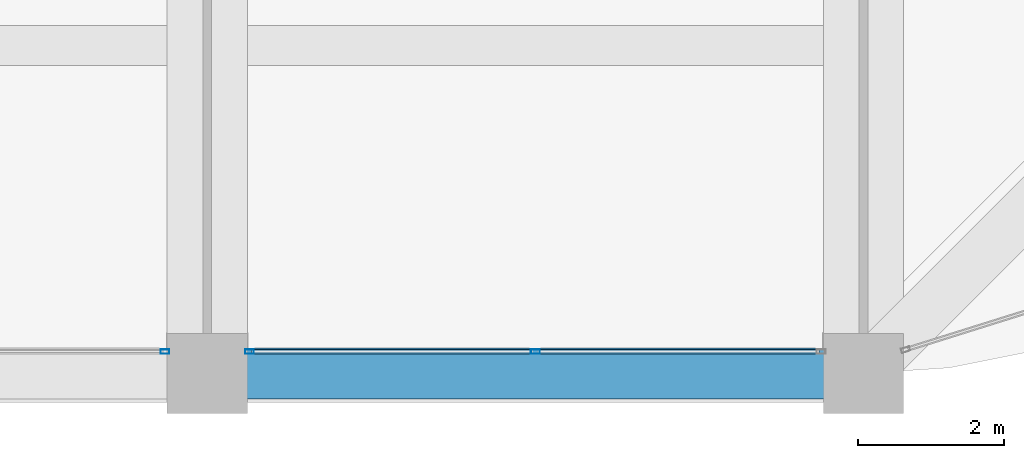
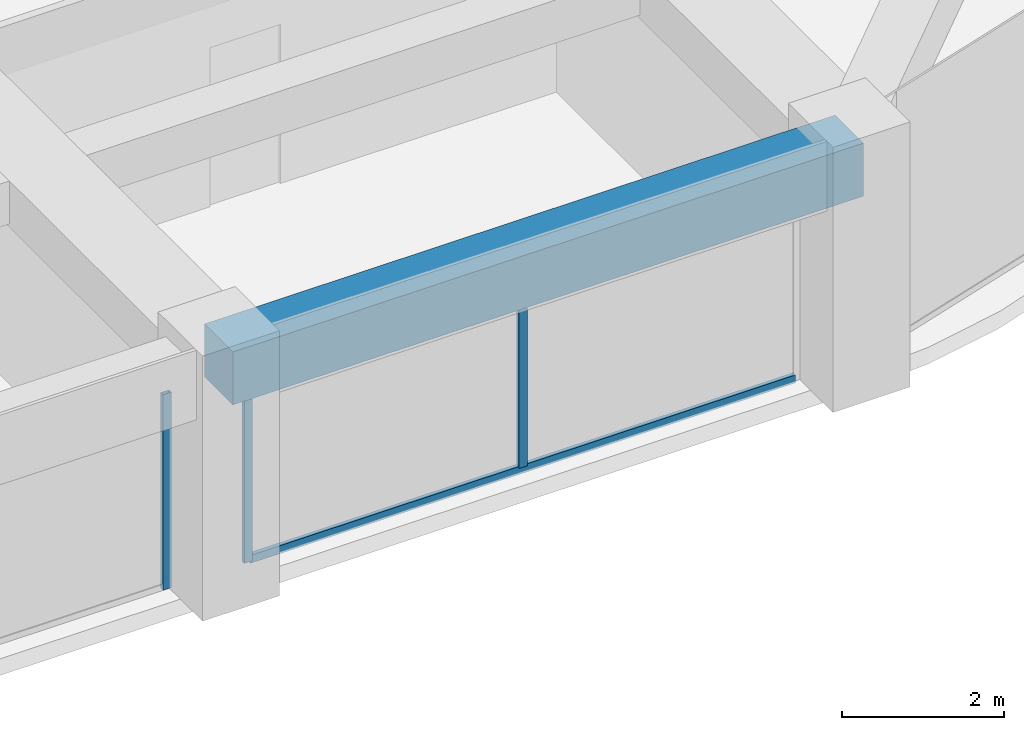
# One storey, part 11 of 44: 4 members, 1 beam, 2 elements without a shape of their own.
"""IFC4 building model written with IfcOpenShell, lengths in metres."""

from ifc_helpers import new_model, si_unit, direction, frame, origin, origin_2d, place, context, subcontext, project, spatial, rectangle, hollow_rectangle, extrude, material, material_profile, profile_set, type_object, element, aggregate, save


model = new_model("IFC4")

# Units and contexts
model_context = context("Model", 3, precision=1e-05, world=origin(), true_north=direction((0.0, 1.0)))
body_context = subcontext(model_context, "Body", "Model", "MODEL_VIEW")
ifc_project = project(units=[si_unit("LENGTHUNIT", "METRE"), si_unit("AREAUNIT", "SQUARE_METRE"), si_unit("VOLUMEUNIT", "CUBIC_METRE"), si_unit("PLANEANGLEUNIT", "RADIAN"), si_unit("MASSUNIT", "GRAM", prefix="KILO")], contexts=[model_context])

# Site, building, storey
site_placement = place(None, origin())
site = spatial("IfcSite", under=ifc_project, at=site_placement, CompositionType="ELEMENT")
building_placement = place(site_placement, origin())
building = spatial("IfcBuilding", under=site, at=building_placement, Name="Zorevar Civic Tower", CompositionType="ELEMENT")
storey_placement = place(building_placement, frame((0.0, 0.0, 287.39990234375)))
storey = spatial("IfcBuildingStorey", under=building, at=storey_placement, Name="L70", CompositionType="ELEMENT", Elevation=287.39990234375)

# Curtain wall, member
ifc_material_1 = material(Name="Dark grey solar-control glass in black aluminium frame", Category="aluminium")
curtain_wall_type = type_object("IfcCurtainWallType", Name="Curtain wall CW5 top zone", PredefinedType="NOTDEFINED", material=ifc_material_1)
curtain_wall_1_placement = place(storey_placement, origin())
curtain_wall_1 = element("IfcCurtainWall", 1, at=curtain_wall_1_placement, inside=storey, type_object=curtain_wall_type, Name="CW5 L70", PredefinedType="NOTDEFINED")
ifc_material_2 = material(Name="Aluminium, black anodised", Category="aluminium")
ifc_material_profile_1 = material_profile(ifc_material_2, hollow_rectangle(XDim=0.06005859375, YDim=0.1201171875, WallThickness=0.0029296875, at=origin_2d()), Name="AL 120x60x3")
ifc_profile_set_1 = profile_set([ifc_material_profile_1], Name="Aluminium, black anodised")
member_type_1 = type_object("IfcMemberType", Name="CW5 mullion AL 120x60x3", PredefinedType="MULLION", material=ifc_profile_set_1)
member_1_placement = place(storey_placement, frame((35.419921875, 0.300048828125, 0.0), z_axis=(0.0, 0.0, 1.0), x_axis=(0.0, 1.0, 0.0)))
member_1 = element("IfcMember", 2, at=member_1_placement, type_object=member_type_1, Name="CW5 mullion 3", PredefinedType="MULLION", context=body_context, shape_type="SweptSolid", body=[
    extrude(hollow_rectangle(XDim=0.06005859375, YDim=0.1201171875, WallThickness=0.0029296875, at=origin_2d()), origin(), (0.0, 0.0, 1.0), 2.9501953125),
])
aggregate(curtain_wall_1, [member_1])

# Curtain wall, members
curtain_wall_2_placement = place(storey_placement, origin())
curtain_wall_2 = element("IfcCurtainWall", 3, at=curtain_wall_2_placement, inside=storey, type_object=curtain_wall_type, Name="CW5 L70", PredefinedType="NOTDEFINED")
member_2_placement = place(storey_placement, frame((36.580078125, 0.300048828125, 0.0), z_axis=(0.0, 0.0, 1.0), x_axis=(0.0, 1.0, 0.0)))
member_2 = element("IfcMember", 4, at=member_2_placement, type_object=member_type_1, Name="CW5 mullion 1", PredefinedType="MULLION", context=body_context, shape_type="SweptSolid", body=[
    extrude(hollow_rectangle(XDim=0.06005859375, YDim=0.1201171875, WallThickness=0.0029296875, at=origin_2d()), origin(), (0.0, 0.0, 1.0), 2.9501953125),
])
member_3_placement = place(storey_placement, frame((40.5, 0.300048828125, 0.06005859375), z_axis=(0.0, 0.0, 1.0), x_axis=(0.0, 1.0, 0.0)))
member_3 = element("IfcMember", 5, at=member_3_placement, type_object=member_type_1, Name="CW5 mullion 2", PredefinedType="MULLION", context=body_context, shape_type="SweptSolid", body=[
    extrude(hollow_rectangle(XDim=0.06005859375, YDim=0.1201171875, WallThickness=0.0029296875, at=origin_2d()), origin(), (0.0, 0.0, 1.0), 2.89013671875),
])
ifc_material_3 = material(Name="Aluminium, black anodised", Category="aluminium")
ifc_material_profile_2 = material_profile(ifc_material_3, hollow_rectangle(XDim=0.06005859375, YDim=0.1201171875, WallThickness=0.0029296875, at=origin_2d()), Name="AL 120x60x3")
ifc_profile_set_2 = profile_set([ifc_material_profile_2], Name="Aluminium, black anodised")
member_type_2 = type_object("IfcMemberType", Name="CW5 transom AL 120x60x3", PredefinedType="USERDEFINED", material=ifc_profile_set_2)
member_4_placement = place(storey_placement, frame((36.610107421875, 0.300048828125, 0.030029296875), z_axis=(1.0, 0.0, 0.0), x_axis=(0.0, 1.0, 0.0)))
member_4 = element("IfcMember", 6, at=member_4_placement, type_object=member_type_2, Name="CW5 sill transom", ObjectType="TRANSOM", PredefinedType="USERDEFINED", context=body_context, shape_type="SweptSolid", body=[
    extrude(hollow_rectangle(XDim=0.06005859375, YDim=0.1201171875, WallThickness=0.0029296875, at=origin_2d()), origin(), (0.0, 0.0, 1.0), 7.77978515625),
])
aggregate(curtain_wall_2, [member_2, member_3, member_4])

# Beam
ifc_material_4 = material(Name="Concrete C50/60", Category="concrete")
ifc_material_profile_3 = material_profile(ifc_material_4, rectangle(XDim=0.699951171875, YDim=0.800048828125, at=origin_2d()), Name="RC 700x800")
ifc_profile_set_3 = profile_set([ifc_material_profile_3], Name="Concrete C50/60")
beam_type = type_object("IfcBeamType", Name="Edge beam RC 700x800", PredefinedType="SPANDREL", material=ifc_profile_set_3)
beam_placement = place(storey_placement, frame((36.0, 0.0, 3.35009765625), z_axis=(1.0, 0.0, 0.0), x_axis=(0.0, 1.0, 0.0)))
element("IfcBeam", 7, at=beam_placement, inside=storey, type_object=beam_type, Name="Edge beam L71", PredefinedType="SPANDREL", context=body_context, shape_type="SweptSolid", body=[
    extrude(rectangle(XDim=0.699951171875, YDim=0.800048828125, at=origin_2d()), origin(), (0.0, 0.0, 1.0), 9.0),
])

save(model, "model.ifc")
